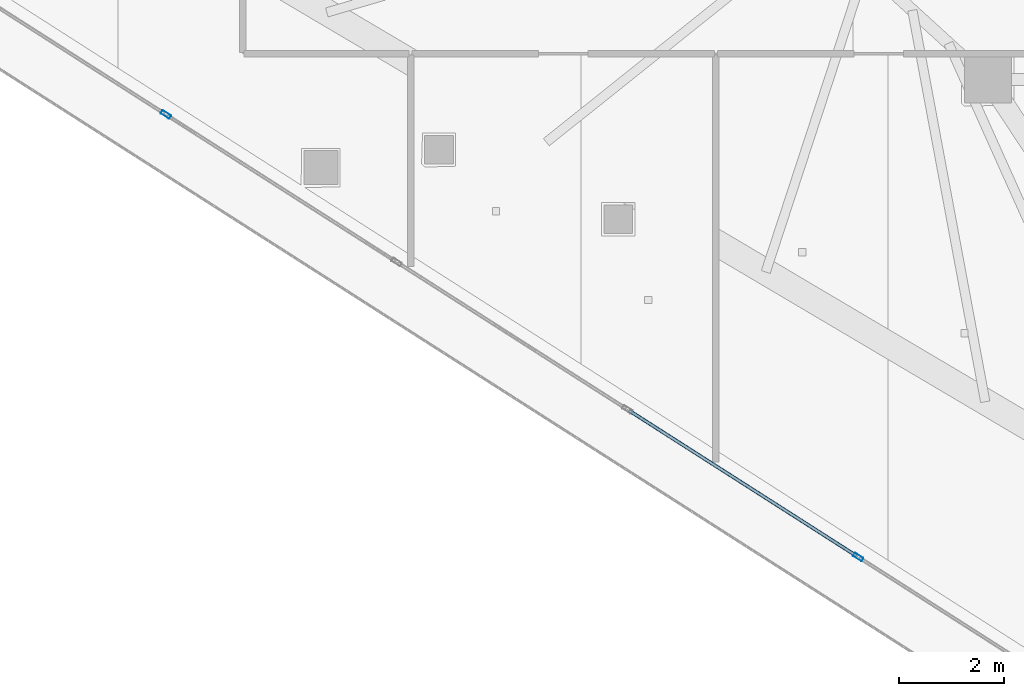
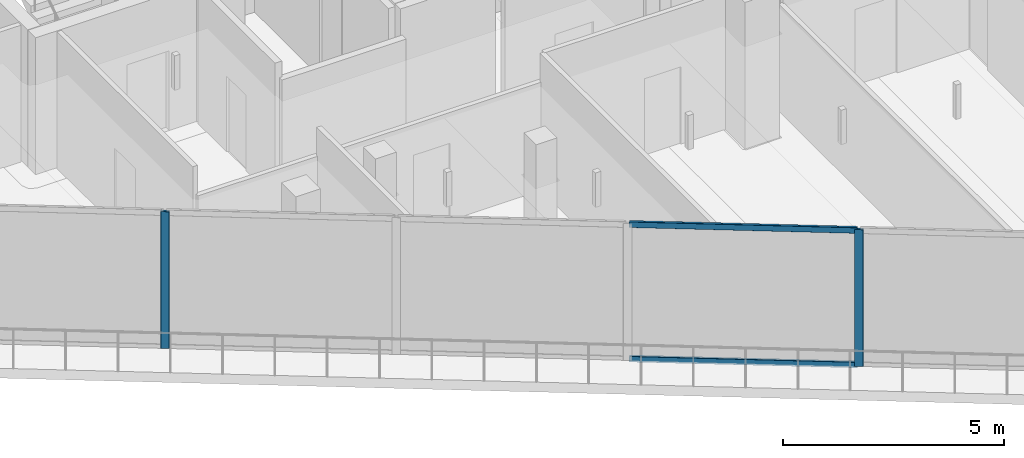
# One storey, part 2 of 32: 4 members, 1 element without a shape of its own.
"""IFC4 building model written with IfcOpenShell, lengths in metres."""

from ifc_helpers import new_model, si_unit, direction, frame, origin, origin_2d, place, context, subcontext, project, spatial, hollow_rectangle, extrude, material, layer, layer_set, material_profile, profile_set, type_object, element, aggregate, save


model = new_model("IFC4")

# Units and contexts
model_context = context("Model", 3, precision=1e-05, world=origin(), true_north=direction((0.0, 1.0)))
body_context = subcontext(model_context, "Body", "Model", "MODEL_VIEW")
ifc_project = project(units=[si_unit("LENGTHUNIT", "METRE"), si_unit("AREAUNIT", "SQUARE_METRE"), si_unit("VOLUMEUNIT", "CUBIC_METRE"), si_unit("PLANEANGLEUNIT", "RADIAN"), si_unit("MASSUNIT", "GRAM", prefix="KILO")], contexts=[model_context])

# Site, building, storey
site_placement = place(None, origin())
site = spatial("IfcSite", under=ifc_project, at=site_placement, CompositionType="ELEMENT")
building_placement = place(site_placement, origin())
building = spatial("IfcBuilding", under=site, at=building_placement, Name="Qorvath Tower", CompositionType="ELEMENT")
storey_placement = place(building_placement, frame((0.0, 0.0, 233.39990234375)))
storey = spatial("IfcBuildingStorey", under=building, at=storey_placement, Name="L54", CompositionType="ELEMENT", Elevation=233.39990234375)

# Curtain wall, members
ifc_material_1 = material(Name="Anodised aluminium and triple low-E glass", Category="aluminium")
ifc_layer = layer(ifc_material_1, 0.179931640625)
ifc_layer_set = layer_set([ifc_layer], Name="CW-SYS-5")
curtain_wall_type = type_object("IfcCurtainWallType", Name="CW-SYS-5", PredefinedType="NOTDEFINED", material=ifc_layer_set)
curtain_wall_placement = place(storey_placement, origin())
curtain_wall = element("IfcCurtainWall", 1, at=curtain_wall_placement, inside=storey, type_object=curtain_wall_type, Name="Curtain Wall CW-5 CW-T-L54-4.1", PredefinedType="NOTDEFINED")
ifc_material_2 = material(Name="Anodised aluminium 6063-T6", Category="aluminium")
ifc_material_profile_1 = material_profile(ifc_material_2, hollow_rectangle(XDim=0.074951171875, YDim=0.199951171875, WallThickness=0.00390625, InnerFilletRadius=0.00390625, OuterFilletRadius=0.008056640625, at=origin_2d()), Name="CWM 200x75")
ifc_profile_set_1 = profile_set([ifc_material_profile_1], Name="Anodised aluminium 6063-T6")
member_type_1 = type_object("IfcMemberType", Name="CWM-200", PredefinedType="MULLION", material=ifc_profile_set_1)
member_1_placement = place(storey_placement, frame((-39.331787109375, -12.12060546875, 0.0), z_axis=(0.0, 0.0, 1.0), x_axis=(0.538528188002, 0.842607495057, 0.0)))
member_1 = element("IfcMember", 2, at=member_1_placement, type_object=member_type_1, Name="CW-5 mullion 3", PredefinedType="MULLION", context=body_context, shape_type="SweptSolid", body=[
    extrude(hollow_rectangle(XDim=0.074951171875, YDim=0.199951171875, WallThickness=0.00390625, InnerFilletRadius=0.00390625, OuterFilletRadius=0.008056640625, at=origin_2d()), origin(), (0.0, 0.0, 1.0), 3.780029296875),
])
member_2_placement = place(storey_placement, frame((-26.0869140625, -20.585693359375, 0.0), z_axis=(0.0, 0.0, 1.0), x_axis=(0.538528188002, 0.842607495057, 0.0)))
member_2 = element("IfcMember", 3, at=member_2_placement, type_object=member_type_1, Name="CW-5 mullion 6", PredefinedType="MULLION", context=body_context, shape_type="SweptSolid", body=[
    extrude(hollow_rectangle(XDim=0.074951171875, YDim=0.199951171875, WallThickness=0.00390625, InnerFilletRadius=0.00390625, OuterFilletRadius=0.008056640625, at=origin_2d()), origin(), (0.0, 0.0, 1.0), 3.780029296875),
])
ifc_material_3 = material(Name="Anodised aluminium 6063-T6", Category="aluminium")
ifc_material_profile_2 = material_profile(ifc_material_3, hollow_rectangle(XDim=0.06494140625, YDim=0.159912109375, WallThickness=0.00341796875, InnerFilletRadius=0.00341796875, OuterFilletRadius=0.007080078125, at=origin_2d()), Name="CWT 160x65")
ifc_profile_set_2 = profile_set([ifc_material_profile_2], Name="Anodised aluminium 6063-T6")
member_type_2 = type_object("IfcMemberType", Name="CWT-160", PredefinedType="USERDEFINED", material=ifc_profile_set_2)
member_3_placement = place(storey_placement, frame((-30.47021484375, -17.7841796875, 0.032470703125), z_axis=(0.842614632309, -0.538517020548, 0.0), x_axis=(0.538517020548, 0.842614632309, 0.0)))
member_3 = element("IfcMember", 4, at=member_3_placement, type_object=member_type_2, Name="CW-5 transom 5.1", ObjectType="TRANSOM", PredefinedType="USERDEFINED", context=body_context, shape_type="SweptSolid", body=[
    extrude(hollow_rectangle(XDim=0.06494140625, YDim=0.159912109375, WallThickness=0.00341796875, InnerFilletRadius=0.00341796875, OuterFilletRadius=0.007080078125, at=origin_2d()), origin(), (0.0, 0.0, 1.0), 5.16455078125),
])
member_4_placement = place(storey_placement, frame((-30.47021484375, -17.7841796875, 3.74755859375), z_axis=(0.842614632309, -0.538517020548, 0.0), x_axis=(0.538517020548, 0.842614632309, 0.0)))
member_4 = element("IfcMember", 5, at=member_4_placement, type_object=member_type_2, Name="CW-5 transom 5.2", ObjectType="TRANSOM", PredefinedType="USERDEFINED", context=body_context, shape_type="SweptSolid", body=[
    extrude(hollow_rectangle(XDim=0.06494140625, YDim=0.159912109375, WallThickness=0.00341796875, InnerFilletRadius=0.00341796875, OuterFilletRadius=0.007080078125, at=origin_2d()), origin(), (0.0, 0.0, 1.0), 5.16455078125),
])
aggregate(curtain_wall, [member_1, member_2, member_3, member_4])

save(model, "model.ifc")
